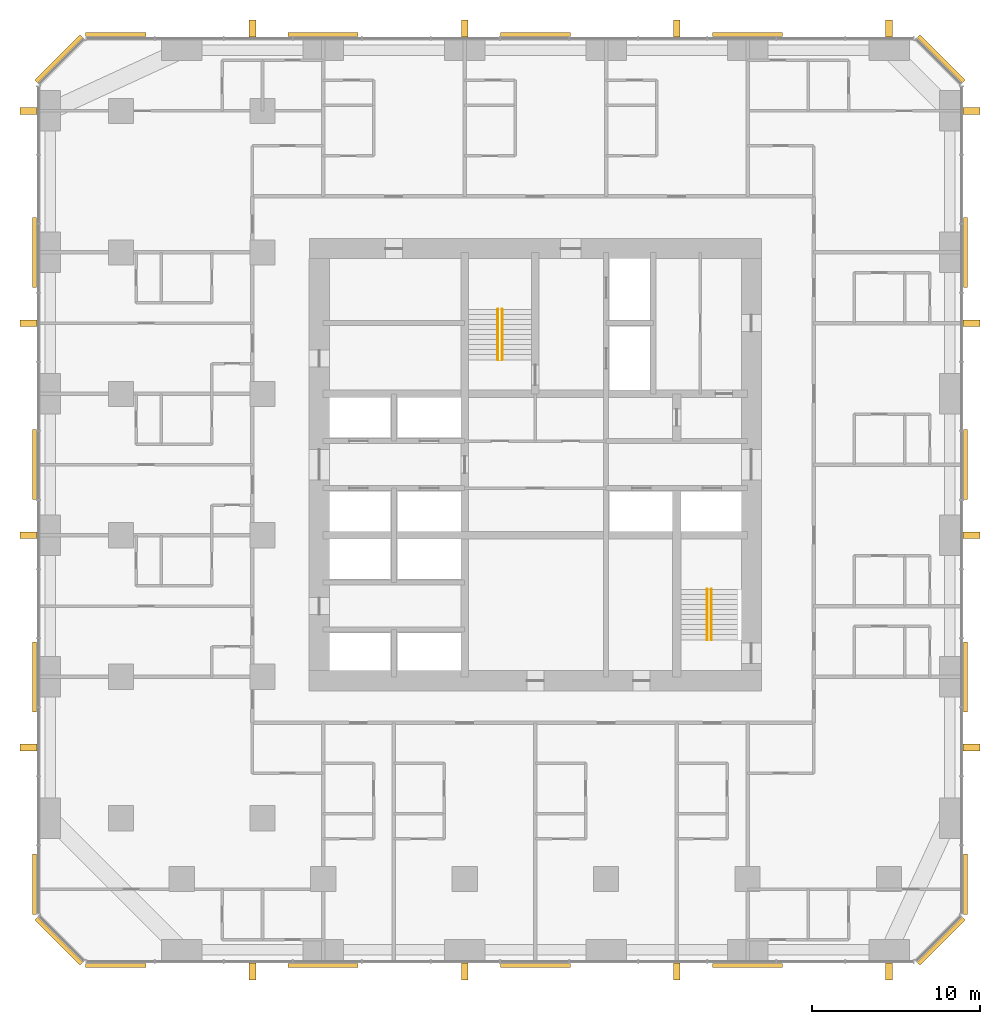
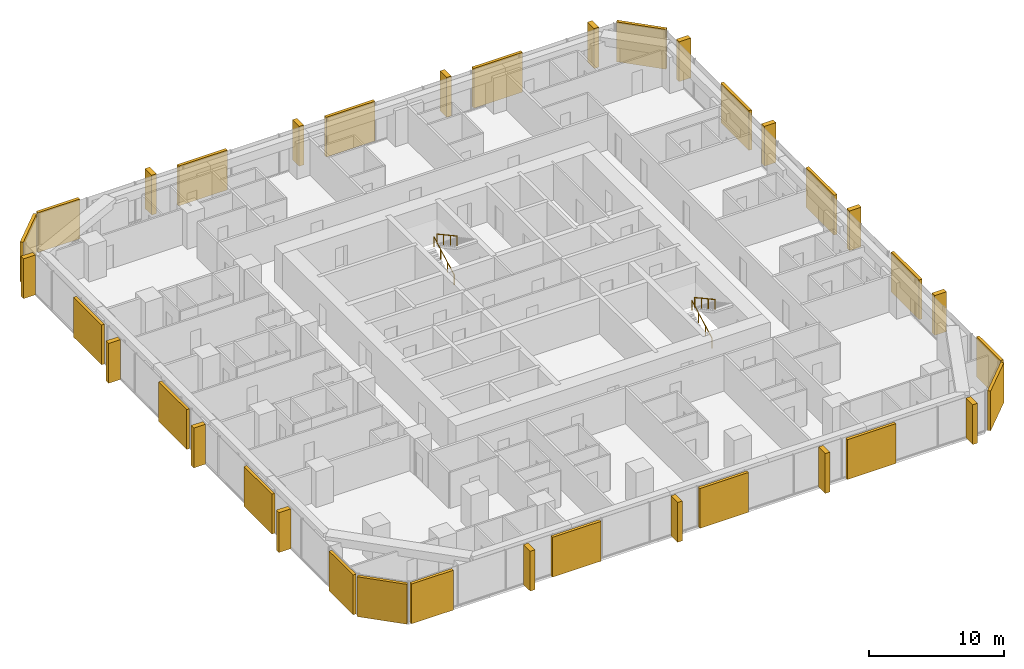
# One storey, part 14 of 14: 20 coverings, 16 shading devices, 4 railings.
"""IFC4 building model written with IfcOpenShell, lengths in metres."""

from ifc_helpers import new_model, si_unit, direction, frame, origin, origin_2d, place, context, subcontext, project, spatial, rectangle, circle, extrude, material, layer, layer_set, type_object, element, save


model = new_model("IFC4")

# Units and contexts
model_context = context("Model", 3, precision=1e-05, world=origin(), true_north=direction((0.0, 1.0)))
body_context = subcontext(model_context, "Body", "Model", "MODEL_VIEW")
ifc_project = project(units=[si_unit("LENGTHUNIT", "METRE"), si_unit("AREAUNIT", "SQUARE_METRE"), si_unit("VOLUMEUNIT", "CUBIC_METRE"), si_unit("PLANEANGLEUNIT", "RADIAN"), si_unit("MASSUNIT", "GRAM", prefix="KILO")], contexts=[model_context])

# Site, building, storey
site_placement = place(None, origin())
site = spatial("IfcSite", under=ifc_project, at=site_placement, CompositionType="ELEMENT")
building_placement = place(site_placement, origin())
building = spatial("IfcBuilding", under=site, at=building_placement, Name="Dunama Terrace Hotel", CompositionType="ELEMENT")
storey_placement = place(building_placement, frame((0.0, 0.0, 108.0)))
storey = spatial("IfcBuildingStorey", under=building, at=storey_placement, Name="L27", CompositionType="ELEMENT", Elevation=108.0)

# Railings
ifc_material_1 = material(Name="Stainless steel handrail", Category="steel")
railing_type = type_object("IfcRailingType", Name="Stair handrail 900", PredefinedType="HANDRAIL", material=ifc_material_1)
railing_1_placement = place(storey_placement, frame((27.175048828125, 35.625, 0.16357421875)))
element("IfcRailing", 1, at=railing_1_placement, inside=storey, type_object=railing_type, Name="Handrail ST1 L27", PredefinedType="HANDRAIL", context=body_context, shape_type="SweptSolid", body=[
    extrude(circle(Radius=0.02392578125, at=origin_2d()), frame((0.0, 0.0, 0.8759765625), z_axis=(0.0, 0.877881921179, 0.478877158013), x_axis=(-1.0, 0.0, 0.0)), (0.0, 0.0, 1.0), 3.417236328125),
    extrude(circle(Radius=0.02099609375, at=origin_2d()), origin(), (0.0, 0.0, 1.0), 0.851806640625),
    extrude(circle(Radius=0.02099609375, at=origin_2d()), frame((0.0, 1.0, 0.54541015625)), (0.0, 0.0, 1.0), 0.851806640625),
    extrude(circle(Radius=0.02099609375, at=origin_2d()), frame((0.0, 2.0, 1.091064453125)), (0.0, 0.0, 1.0), 0.851806640625),
    extrude(circle(Radius=0.02099609375, at=origin_2d()), frame((0.0, 3.0, 1.636474609375)), (0.0, 0.0, 1.0), 0.851806640625),
])
railing_2_placement = place(storey_placement, frame((27.425048828125, 38.625, 1.963623046875)))
element("IfcRailing", 2, at=railing_2_placement, inside=storey, type_object=railing_type, Name="Handrail ST1 L27", PredefinedType="HANDRAIL", context=body_context, shape_type="SweptSolid", body=[
    extrude(circle(Radius=0.02392578125, at=origin_2d()), frame((0.0, 0.0, 0.8759765625), z_axis=(0.0, -0.877881921179, 0.478877158013), x_axis=(1.0, 0.0, 0.0)), (0.0, 0.0, 1.0), 3.417236328125),
    extrude(circle(Radius=0.02099609375, at=origin_2d()), origin(), (0.0, 0.0, 1.0), 0.851806640625),
    extrude(circle(Radius=0.02099609375, at=origin_2d()), frame((0.0, -1.0, 0.54541015625)), (0.0, 0.0, 1.0), 0.851806640625),
    extrude(circle(Radius=0.02099609375, at=origin_2d()), frame((0.0, -2.0, 1.091064453125)), (0.0, 0.0, 1.0), 0.851806640625),
    extrude(circle(Radius=0.02099609375, at=origin_2d()), frame((0.0, -3.0, 1.636474609375)), (0.0, 0.0, 1.0), 0.851806640625),
])
railing_3_placement = place(storey_placement, frame((39.60009765625, 19.0, 0.16357421875)))
element("IfcRailing", 3, at=railing_3_placement, inside=storey, type_object=railing_type, Name="Handrail ST2 L27", PredefinedType="HANDRAIL", context=body_context, shape_type="SweptSolid", body=[
    extrude(circle(Radius=0.02392578125, at=origin_2d()), frame((0.0, 0.0, 0.8759765625), z_axis=(0.0, 0.877881921179, 0.478877158013), x_axis=(-1.0, 0.0, 0.0)), (0.0, 0.0, 1.0), 3.417236328125),
    extrude(circle(Radius=0.02099609375, at=origin_2d()), origin(), (0.0, 0.0, 1.0), 0.851806640625),
    extrude(circle(Radius=0.02099609375, at=origin_2d()), frame((0.0, 1.0, 0.54541015625)), (0.0, 0.0, 1.0), 0.851806640625),
    extrude(circle(Radius=0.02099609375, at=origin_2d()), frame((0.0, 2.0, 1.091064453125)), (0.0, 0.0, 1.0), 0.851806640625),
    extrude(circle(Radius=0.02099609375, at=origin_2d()), frame((0.0, 3.0, 1.636474609375)), (0.0, 0.0, 1.0), 0.851806640625),
])
railing_4_placement = place(storey_placement, frame((39.85009765625, 22.0, 1.963623046875)))
element("IfcRailing", 4, at=railing_4_placement, inside=storey, type_object=railing_type, Name="Handrail ST2 L27", PredefinedType="HANDRAIL", context=body_context, shape_type="SweptSolid", body=[
    extrude(circle(Radius=0.02392578125, at=origin_2d()), frame((0.0, 0.0, 0.8759765625), z_axis=(0.0, -0.877881921179, 0.478877158013), x_axis=(1.0, 0.0, 0.0)), (0.0, 0.0, 1.0), 3.417236328125),
    extrude(circle(Radius=0.02099609375, at=origin_2d()), origin(), (0.0, 0.0, 1.0), 0.851806640625),
    extrude(circle(Radius=0.02099609375, at=origin_2d()), frame((0.0, -1.0, 0.54541015625)), (0.0, 0.0, 1.0), 0.851806640625),
    extrude(circle(Radius=0.02099609375, at=origin_2d()), frame((0.0, -2.0, 1.091064453125)), (0.0, 0.0, 1.0), 0.851806640625),
    extrude(circle(Radius=0.02099609375, at=origin_2d()), frame((0.0, -3.0, 1.636474609375)), (0.0, 0.0, 1.0), 0.851806640625),
])

# Coverings
ifc_material_2 = material(Name="Warm reconstituted stone panel", Category="masonry")
ifc_layer_1 = layer(ifc_material_2, 0.25)
ifc_layer_set_1 = layer_set([ifc_layer_1], Name="Stone diagonal panel")
covering_type = type_object("IfcCoveringType", Name="Stone diagonal panel", PredefinedType="CLADDING", material=ifc_layer_set_1)
covering_1_placement = place(storey_placement, frame((4.489990234375, -0.343017578125, 0.001953125), z_axis=(0.0, 0.0, 1.0), x_axis=(1.0, 0.0, 0.0)))
element("IfcCovering", 5, at=covering_1_placement, inside=storey, type_object=covering_type, Name="Stone diagonal panel L27", PredefinedType="CLADDING", context=body_context, shape_type="SweptSolid", body=[
    extrude(rectangle(XDim=3.570068359375, YDim=0.25, at=origin_2d()), origin(), (0.0, 0.0, 1.0), 3.595947265625),
])
for number, where, z_axis, x_axis, name in (
    (6, (16.800048828125, -0.343017578125, 0.001953125), (0.0, 0.0, 1.0), (1.0, 0.0, 0.0), "Stone diagonal panel L27"),
    (7, (29.39990234375, -0.343017578125, 0.001953125), (0.0, 0.0, 1.0), (1.0, 0.0, 0.0), "Stone diagonal panel L27"),
    (8, (42.0, -0.343017578125, 0.001953125), (0.0, 0.0, 1.0), (1.0, 0.0, 0.0), "Stone diagonal panel L27"),
):
    element("IfcCovering", number, at=place(storey_placement, frame(where, z_axis=z_axis, x_axis=x_axis)), inside=storey, type_object=covering_type, Name=name, PredefinedType="CLADDING", context=body_context, shape_type="SweptSolid", body=[
        extrude(rectangle(XDim=4.14990234375, YDim=0.25, at=origin_2d()), origin(), (0.0, 0.0, 1.0), 3.595947265625),
    ])
covering_2_placement = place(storey_placement, frame((53.492919921875, 1.10693359375, 0.001953125), z_axis=(0.0, 0.0, 1.0), x_axis=(0.707106781187, 0.707106781187, 0.0)))
element("IfcCovering", 9, at=covering_2_placement, inside=storey, type_object=covering_type, Name="Stone diagonal panel L27", PredefinedType="CLADDING", context=body_context, shape_type="SweptSolid", body=[
    extrude(rectangle(XDim=3.808349609375, YDim=0.25, at=origin_2d()), origin(), (0.0, 0.0, 1.0), 3.595947265625),
])
covering_3_placement = place(storey_placement, frame((54.943115234375, 4.489990234375, 0.001953125), z_axis=(0.0, 0.0, 1.0), x_axis=(0.0, 1.0, 0.0)))
element("IfcCovering", 10, at=covering_3_placement, inside=storey, type_object=covering_type, Name="Stone diagonal panel L27", PredefinedType="CLADDING", context=body_context, shape_type="SweptSolid", body=[
    extrude(rectangle(XDim=3.570068359375, YDim=0.25, at=origin_2d()), origin(), (0.0, 0.0, 1.0), 3.595947265625),
])
for number, where, z_axis, x_axis, name in (
    (11, (54.943115234375, 16.800048828125, 0.001953125), (0.0, 0.0, 1.0), (0.0, 1.0, 0.0), "Stone diagonal panel L27"),
    (12, (54.943115234375, 29.39990234375, 0.001953125), (0.0, 0.0, 1.0), (0.0, 1.0, 0.0), "Stone diagonal panel L27"),
    (13, (54.943115234375, 42.0, 0.001953125), (0.0, 0.0, 1.0), (0.0, 1.0, 0.0), "Stone diagonal panel L27"),
):
    element("IfcCovering", number, at=place(storey_placement, frame(where, z_axis=z_axis, x_axis=x_axis)), inside=storey, type_object=covering_type, Name=name, PredefinedType="CLADDING", context=body_context, shape_type="SweptSolid", body=[
        extrude(rectangle(XDim=4.14990234375, YDim=0.25, at=origin_2d()), origin(), (0.0, 0.0, 1.0), 3.595947265625),
    ])
covering_4_placement = place(storey_placement, frame((53.492919921875, 53.492919921875, 0.001953125), z_axis=(0.0, 0.0, 1.0), x_axis=(-0.707106781187, 0.707106781187, 0.0)))
element("IfcCovering", 14, at=covering_4_placement, inside=storey, type_object=covering_type, Name="Stone diagonal panel L27", PredefinedType="CLADDING", context=body_context, shape_type="SweptSolid", body=[
    extrude(rectangle(XDim=3.808349609375, YDim=0.25, at=origin_2d()), origin(), (0.0, 0.0, 1.0), 3.595947265625),
])
for number, where, z_axis, x_axis, name in (
    (15, (42.0, 54.943115234375, 0.001953125), (0.0, 0.0, 1.0), (-1.0, 0.0, 0.0), "Stone diagonal panel L27"),
    (16, (29.39990234375, 54.943115234375, 0.001953125), (0.0, 0.0, 1.0), (-1.0, 0.0, 0.0), "Stone diagonal panel L27"),
    (17, (16.800048828125, 54.943115234375, 0.001953125), (0.0, 0.0, 1.0), (-1.0, 0.0, 0.0), "Stone diagonal panel L27"),
):
    element("IfcCovering", number, at=place(storey_placement, frame(where, z_axis=z_axis, x_axis=x_axis)), inside=storey, type_object=covering_type, Name=name, PredefinedType="CLADDING", context=body_context, shape_type="SweptSolid", body=[
        extrude(rectangle(XDim=4.14990234375, YDim=0.25, at=origin_2d()), origin(), (0.0, 0.0, 1.0), 3.595947265625),
    ])
covering_5_placement = place(storey_placement, frame((4.489990234375, 54.943115234375, 0.001953125), z_axis=(0.0, 0.0, 1.0), x_axis=(-1.0, 0.0, 0.0)))
element("IfcCovering", 18, at=covering_5_placement, inside=storey, type_object=covering_type, Name="Stone diagonal panel L27", PredefinedType="CLADDING", context=body_context, shape_type="SweptSolid", body=[
    extrude(rectangle(XDim=3.570068359375, YDim=0.25, at=origin_2d()), origin(), (0.0, 0.0, 1.0), 3.595947265625),
])
covering_6_placement = place(storey_placement, frame((1.10693359375, 53.492919921875, 0.001953125), z_axis=(0.0, 0.0, 1.0), x_axis=(-0.707106781187, -0.707106781187, 0.0)))
element("IfcCovering", 19, at=covering_6_placement, inside=storey, type_object=covering_type, Name="Stone diagonal panel L27", PredefinedType="CLADDING", context=body_context, shape_type="SweptSolid", body=[
    extrude(rectangle(XDim=3.808349609375, YDim=0.25, at=origin_2d()), origin(), (0.0, 0.0, 1.0), 3.595947265625),
])
for number, where, z_axis, x_axis, name in (
    (20, (-0.343017578125, 42.0, 0.001953125), (0.0, 0.0, 1.0), (0.0, -1.0, 0.0), "Stone diagonal panel L27"),
    (21, (-0.343017578125, 29.39990234375, 0.001953125), (0.0, 0.0, 1.0), (0.0, -1.0, 0.0), "Stone diagonal panel L27"),
    (22, (-0.343017578125, 16.800048828125, 0.001953125), (0.0, 0.0, 1.0), (0.0, -1.0, 0.0), "Stone diagonal panel L27"),
):
    element("IfcCovering", number, at=place(storey_placement, frame(where, z_axis=z_axis, x_axis=x_axis)), inside=storey, type_object=covering_type, Name=name, PredefinedType="CLADDING", context=body_context, shape_type="SweptSolid", body=[
        extrude(rectangle(XDim=4.14990234375, YDim=0.25, at=origin_2d()), origin(), (0.0, 0.0, 1.0), 3.595947265625),
    ])
covering_7_placement = place(storey_placement, frame((-0.343017578125, 4.489990234375, 0.001953125), z_axis=(0.0, 0.0, 1.0), x_axis=(0.0, -1.0, 0.0)))
element("IfcCovering", 23, at=covering_7_placement, inside=storey, type_object=covering_type, Name="Stone diagonal panel L27", PredefinedType="CLADDING", context=body_context, shape_type="SweptSolid", body=[
    extrude(rectangle(XDim=3.570068359375, YDim=0.25, at=origin_2d()), origin(), (0.0, 0.0, 1.0), 3.595947265625),
])
covering_8_placement = place(storey_placement, frame((1.10693359375, 1.10693359375, 0.001953125), z_axis=(0.0, 0.0, 1.0), x_axis=(0.707106781187, -0.707106781187, 0.0)))
element("IfcCovering", 24, at=covering_8_placement, inside=storey, type_object=covering_type, Name="Stone diagonal panel L27", PredefinedType="CLADDING", context=body_context, shape_type="SweptSolid", body=[
    extrude(rectangle(XDim=3.808349609375, YDim=0.25, at=origin_2d()), origin(), (0.0, 0.0, 1.0), 3.595947265625),
])

# Shading devices
ifc_material_3 = material(Name="Warm reconstituted stone fin", Category="masonry")
ifc_layer_2 = layer(ifc_material_3, 0.39990234375)
ifc_layer_set_2 = layer_set([ifc_layer_2], Name="Warm stone fin 400x1000")
shading_device_type = type_object("IfcShadingDeviceType", Name="Warm stone fin 400x1000", PredefinedType="USERDEFINED", material=ifc_layer_set_2)
for number, where, z_axis, x_axis, name in (
    (25, (12.60009765625, -0.697998046875, 0.0), (0.0, 0.0, 1.0), (1.0, 0.0, 0.0), "Stone fin"),
    (26, (25.199951171875, -0.697998046875, 0.0), (0.0, 0.0, 1.0), (1.0, 0.0, 0.0), "Stone fin"),
    (27, (37.800048828125, -0.697998046875, 0.0), (0.0, 0.0, 1.0), (1.0, 0.0, 0.0), "Stone fin"),
    (28, (50.39990234375, -0.697998046875, 0.0), (0.0, 0.0, 1.0), (1.0, 0.0, 0.0), "Stone fin"),
    (29, (55.298095703125, 12.60009765625, 0.0), (0.0, 0.0, 1.0), (0.0, 1.0, 0.0), "Stone fin"),
    (30, (55.298095703125, 25.199951171875, 0.0), (0.0, 0.0, 1.0), (0.0, 1.0, 0.0), "Stone fin"),
    (31, (55.298095703125, 37.800048828125, 0.0), (0.0, 0.0, 1.0), (0.0, 1.0, 0.0), "Stone fin"),
    (32, (55.298095703125, 50.39990234375, 0.0), (0.0, 0.0, 1.0), (0.0, 1.0, 0.0), "Stone fin"),
    (33, (50.39990234375, 55.298095703125, 0.0), (0.0, 0.0, 1.0), (-1.0, 0.0, 0.0), "Stone fin"),
    (34, (37.800048828125, 55.298095703125, 0.0), (0.0, 0.0, 1.0), (-1.0, 0.0, 0.0), "Stone fin"),
    (35, (25.199951171875, 55.298095703125, 0.0), (0.0, 0.0, 1.0), (-1.0, 0.0, 0.0), "Stone fin"),
    (36, (12.60009765625, 55.298095703125, 0.0), (0.0, 0.0, 1.0), (-1.0, 0.0, 0.0), "Stone fin"),
    (37, (-0.697998046875, 50.39990234375, 0.0), (0.0, 0.0, 1.0), (0.0, -1.0, 0.0), "Stone fin"),
    (38, (-0.697998046875, 37.800048828125, 0.0), (0.0, 0.0, 1.0), (0.0, -1.0, 0.0), "Stone fin"),
    (39, (-0.697998046875, 25.199951171875, 0.0), (0.0, 0.0, 1.0), (0.0, -1.0, 0.0), "Stone fin"),
    (40, (-0.697998046875, 12.60009765625, 0.0), (0.0, 0.0, 1.0), (0.0, -1.0, 0.0), "Stone fin"),
):
    element("IfcShadingDevice", number, at=place(storey_placement, frame(where, z_axis=z_axis, x_axis=x_axis)), inside=storey, type_object=shading_device_type, Name=name, ObjectType="FIN", PredefinedType="USERDEFINED", context=body_context, shape_type="SweptSolid", body=[
        extrude(rectangle(XDim=0.39990234375, YDim=1.0, at=origin_2d()), origin(), (0.0, 0.0, 1.0), 3.60009765625),
    ])

save(model, "model.ifc")
